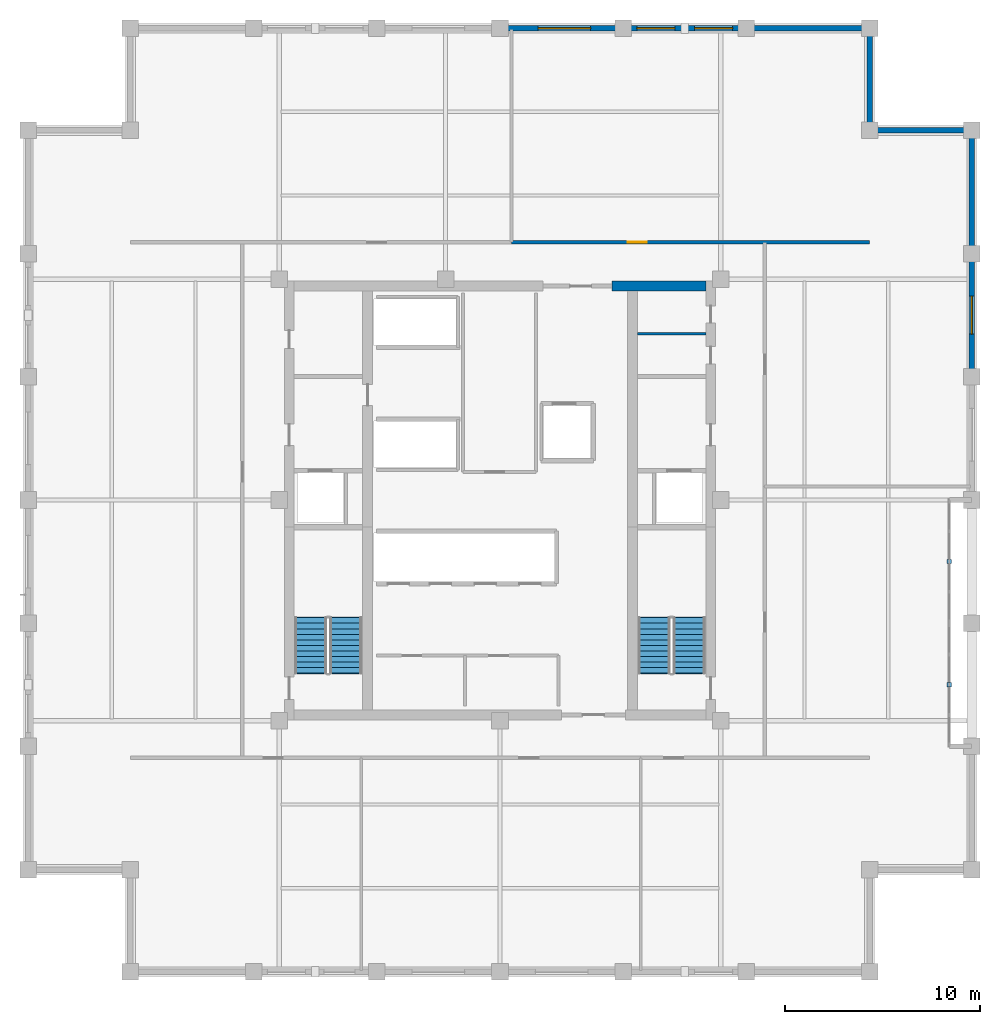
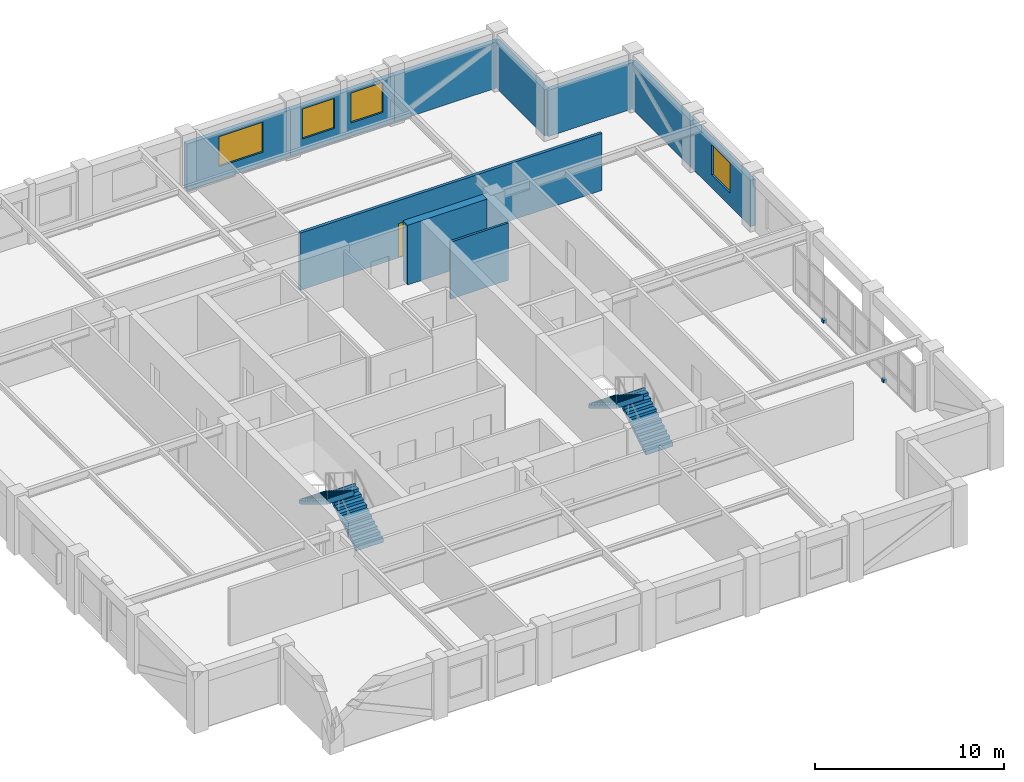
# One storey, part 8 of 10: 10 walls, 4 stair flights, 4 windows, 2 discrete accessories, 1 door, 5 openings, 2 elements without a shape of their own.
"""IFC4 building model written with IfcOpenShell, lengths in metres."""

from ifc_helpers import new_model, si_unit, direction, frame, frame_2d, origin, origin_2d, place, context, subcontext, project, spatial, polyline, rectangle, outline, extrude, material, layer, layer_set, type_object, element, fill, aggregate, save


model = new_model("IFC4")

# Units and contexts
model_context = context("Model", 3, precision=1e-05, world=origin(), true_north=direction((0.0, 1.0)))
body_context = subcontext(model_context, "Body", "Model", "MODEL_VIEW")
ifc_project = project(units=[si_unit("LENGTHUNIT", "METRE"), si_unit("AREAUNIT", "SQUARE_METRE"), si_unit("VOLUMEUNIT", "CUBIC_METRE"), si_unit("PLANEANGLEUNIT", "RADIAN"), si_unit("MASSUNIT", "GRAM", prefix="KILO")], contexts=[model_context])

# Site, building, storey
site_placement = place(None, origin())
site = spatial("IfcSite", under=ifc_project, at=site_placement, CompositionType="ELEMENT")
building_placement = place(site_placement, origin())
building = spatial("IfcBuilding", under=site, at=building_placement, Name="Nhamokura Convention Tower", CompositionType="ELEMENT")
storey_placement = place(building_placement, frame((0.0, 0.0, 236.949951171875)))
storey = spatial("IfcBuildingStorey", under=building, at=storey_placement, Name="L58", CompositionType="ELEMENT", Elevation=236.949951171875)

# Wall
ifc_material_1 = material(Name="Moisture-resistant tile-backer partition", Category="masonry")
ifc_layer_1 = layer(ifc_material_1, 0.139892578125)
ifc_layer_set_1 = layer_set([ifc_layer_1], Name="BathroomWetWall_140")
wall_type_1 = type_object("IfcWallType", Name="BathroomWetWall_140", PredefinedType="STANDARD", material=ifc_layer_set_1)
wall_1_placement = place(storey_placement, frame((39.06005859375, 40.550048828125, 0.0), z_axis=(0.0, 0.0, 1.0), x_axis=(1.0, 0.0, 0.0)))
element("IfcWall", 1, at=wall_1_placement, inside=storey, type_object=wall_type_1, Name="L58 Wall INT-L58-CWNE", PredefinedType="STANDARD", context=body_context, shape_type="SweptSolid", body=[
    extrude(rectangle(XDim=3.530029296875, YDim=0.139892578125, at=frame_2d((1.76513671875, 0.0))), origin(), (0.0, 0.0, 1.0), 3.68505859375),
])

# Wall, opening, window
ifc_material_2 = material(Name="Bronze-pigmented precast concrete C45/55", Category="concrete")
ifc_layer_2 = layer(ifc_material_2, 0.280029296875)
ifc_layer_set_2 = layer_set([ifc_layer_2], Name="BronzePrecastSpandrel_280")
wall_type_2 = type_object("IfcWallType", Name="BronzePrecastSpandrel_280", PredefinedType="USERDEFINED", material=ifc_layer_set_2)
wall_2_placement = place(storey_placement, frame((32.0, 56.25, 0.0), z_axis=(0.0, 0.0, 1.0), x_axis=(1.0, 0.0, 0.0)))
wall_2 = element("IfcWall", 2, at=wall_2_placement, inside=storey, type_object=wall_type_2, Name="L58 Masonry-Frame Wall NORTH 3", ObjectType="SPANDREL_WALL", PredefinedType="USERDEFINED", context=body_context, shape_type="SweptSolid", body=[
    extrude(rectangle(XDim=6.333251953125, YDim=0.280029296875, at=frame_2d((3.16650390625, 0.0))), origin(), (0.0, 0.0, 1.0), 2.985107421875),
])
opening_1_placement = place(wall_2_placement, frame((1.9541015625, 0.0, 0.85009765625)))
opening_1 = element("IfcOpeningElement", 3, at=opening_1_placement, cuts=wall_2, Name="Opening W-07", PredefinedType="OPENING", context=body_context, shape_type="SweptSolid", body=[
    extrude(rectangle(XDim=2.699951171875, YDim=1.93505859375, at=frame_2d((1.35009765625, 0.967529296875))), frame((0.0, 0.14990234375, 0.0), z_axis=(0.0, -1.0, 0.0), x_axis=(1.0, 0.0, 0.0)), (0.0, 0.0, 1.0), 0.300048828125),
])
ifc_material_3 = material(Name="Solar-control bronze low-E double glass", Category="glass")
window_type_1 = type_object("IfcWindowType", Name="OfficeModuleWindow_Z3_2700", PartitioningType="DOUBLE_PANEL_VERTICAL", PredefinedType="WINDOW", material=ifc_material_3)
window_1_placement = place(opening_1_placement, origin())
window_1 = element("IfcWindow", 4, at=window_1_placement, inside=storey, type_object=window_type_1, Name="L58 Facade Window NORTH 3", OverallHeight=1.93505859375, OverallWidth=2.699951171875, PartitioningType="SINGLE_PANEL", PredefinedType="WINDOW", context=body_context, shape_type="SweptSolid", body=[
    extrude(rectangle(XDim=2.699951171875, YDim=1.93505859375, at=frame_2d((1.35009765625, 0.967529296875))), frame((0.0, 0.030029296875, 0.0), z_axis=(0.0, -1.0, 0.0), x_axis=(1.0, 0.0, 0.0)), (0.0, 0.0, 1.0), 0.06005859375),
])
fill(opening_1, window_1)

# Wall, openings, windows
wall_3_placement = place(storey_placement, frame((38.333251953125, 56.25, 0.0), z_axis=(0.0, 0.0, 1.0), x_axis=(1.0, 0.0, 0.0)))
wall_3 = element("IfcWall", 5, at=wall_3_placement, inside=storey, type_object=wall_type_2, Name="L58 Masonry-Frame Wall NORTH 4", ObjectType="SPANDREL_WALL", PredefinedType="USERDEFINED", context=body_context, shape_type="SweptSolid", body=[
    extrude(rectangle(XDim=6.33349609375, YDim=0.280029296875, at=frame_2d((3.166748046875, 0.0))), origin(), (0.0, 0.0, 1.0), 2.985107421875),
])
opening_2_placement = place(wall_3_placement, frame((0.708251953125, 0.0, 0.85009765625)))
opening_2 = element("IfcOpeningElement", 6, at=opening_2_placement, cuts=wall_3, Name="Opening W-08", PredefinedType="OPENING", context=body_context, shape_type="SweptSolid", body=[
    extrude(rectangle(XDim=1.949951171875, YDim=1.93505859375, at=frame_2d((0.97509765625, 0.967529296875))), frame((0.0, 0.14990234375, 0.0), z_axis=(0.0, -1.0, 0.0), x_axis=(1.0, 0.0, 0.0)), (0.0, 0.0, 1.0), 0.300048828125),
])
opening_3_placement = place(wall_3_placement, frame((3.675048828125, 0.0, 0.85009765625)))
opening_3 = element("IfcOpeningElement", 7, at=opening_3_placement, cuts=wall_3, Name="Opening W-08", PredefinedType="OPENING", context=body_context, shape_type="SweptSolid", body=[
    extrude(rectangle(XDim=1.949951171875, YDim=1.93505859375, at=frame_2d((0.97509765625, 0.967529296875))), frame((0.0, 0.14990234375, 0.0), z_axis=(0.0, -1.0, 0.0), x_axis=(1.0, 0.0, 0.0)), (0.0, 0.0, 1.0), 0.300048828125),
])
ifc_material_4 = material(Name="Solar-control bronze low-E double glass", Category="glass")
window_type_2 = type_object("IfcWindowType", Name="OfficeModuleWindow_Z3_1950", PartitioningType="SINGLE_PANEL", PredefinedType="WINDOW", material=ifc_material_4)
window_2_placement = place(opening_2_placement, origin())
window_2 = element("IfcWindow", 8, at=window_2_placement, inside=storey, type_object=window_type_2, Name="L58 Facade Window NORTH 4-1", OverallHeight=1.93505859375, OverallWidth=1.949951171875, PartitioningType="SINGLE_PANEL", PredefinedType="WINDOW", context=body_context, shape_type="SweptSolid", body=[
    extrude(rectangle(XDim=1.949951171875, YDim=1.93505859375, at=frame_2d((0.97509765625, 0.967529296875))), frame((0.0, 0.030029296875, 0.0), z_axis=(0.0, -1.0, 0.0), x_axis=(1.0, 0.0, 0.0)), (0.0, 0.0, 1.0), 0.06005859375),
])
fill(opening_2, window_2)
window_3_placement = place(opening_3_placement, origin())
window_3 = element("IfcWindow", 9, at=window_3_placement, inside=storey, type_object=window_type_2, Name="L58 Facade Window NORTH 4-2", OverallHeight=1.93505859375, OverallWidth=1.949951171875, PartitioningType="SINGLE_PANEL", PredefinedType="WINDOW", context=body_context, shape_type="SweptSolid", body=[
    extrude(rectangle(XDim=1.949951171875, YDim=1.93505859375, at=frame_2d((0.97509765625, 0.967529296875))), frame((0.0, 0.030029296875, 0.0), z_axis=(0.0, -1.0, 0.0), x_axis=(1.0, 0.0, 0.0)), (0.0, 0.0, 1.0), 0.06005859375),
])
fill(opening_3, window_3)

# Wall
wall_4_placement = place(storey_placement, frame((44.666748046875, 56.25, 0.0), z_axis=(0.0, 0.0, 1.0), x_axis=(1.0, 0.0, 0.0)))
element("IfcWall", 10, at=wall_4_placement, inside=storey, type_object=wall_type_2, Name="L58 Braced-Bay Precast Wall NORTH 5", ObjectType="SPANDREL_WALL", PredefinedType="USERDEFINED", context=body_context, shape_type="SweptSolid", body=[
    extrude(rectangle(XDim=6.333251953125, YDim=0.280029296875, at=frame_2d((3.16650390625, 0.0))), origin(), (0.0, 0.0, 1.0), 2.985107421875),
])

# Wall, opening, window
wall_5_placement = place(storey_placement, frame((56.25, 44.666748046875, 0.0), z_axis=(0.0, 0.0, 1.0), x_axis=(0.0, -1.0, 0.0)))
wall_5 = element("IfcWall", 11, at=wall_5_placement, inside=storey, type_object=wall_type_2, Name="L58 Masonry-Frame Wall EAST 4", ObjectType="SPANDREL_WALL", PredefinedType="USERDEFINED", context=body_context, shape_type="SweptSolid", body=[
    extrude(rectangle(XDim=6.33349609375, YDim=0.280029296875, at=frame_2d((3.166748046875, 0.0))), origin(), (0.0, 0.0, 1.0), 2.985107421875),
])
opening_4_placement = place(wall_5_placement, frame((2.191650390625, 0.0, 0.85009765625)))
opening_4 = element("IfcOpeningElement", 12, at=opening_4_placement, cuts=wall_5, Name="Opening W-08", PredefinedType="OPENING", context=body_context, shape_type="SweptSolid", body=[
    extrude(rectangle(XDim=1.949951171875, YDim=1.93505859375, at=frame_2d((0.97509765625, 0.967529296875))), frame((0.0, 0.14990234375, 0.0), z_axis=(0.0, -1.0, 0.0), x_axis=(1.0, 0.0, 0.0)), (0.0, 0.0, 1.0), 0.300048828125),
])
window_4_placement = place(opening_4_placement, origin())
window_4 = element("IfcWindow", 13, at=window_4_placement, inside=storey, type_object=window_type_2, Name="L58 Facade Window EAST 4", OverallHeight=1.93505859375, OverallWidth=1.949951171875, PartitioningType="SINGLE_PANEL", PredefinedType="WINDOW", context=body_context, shape_type="SweptSolid", body=[
    extrude(rectangle(XDim=1.949951171875, YDim=1.93505859375, at=frame_2d((0.97509765625, 0.967529296875))), frame((0.0, 0.030029296875, 0.0), z_axis=(0.0, -1.0, 0.0), x_axis=(1.0, 0.0, 0.0)), (0.0, 0.0, 1.0), 0.06005859375),
])
fill(opening_4, window_4)

# Walls
wall_6_placement = place(storey_placement, frame((56.25, 51.0, 0.0), z_axis=(0.0, 0.0, 1.0), x_axis=(0.0, -1.0, 0.0)))
element("IfcWall", 14, at=wall_6_placement, inside=storey, type_object=wall_type_2, Name="L58 Braced-Bay Precast Wall EAST 5", ObjectType="SPANDREL_WALL", PredefinedType="USERDEFINED", context=body_context, shape_type="SweptSolid", body=[
    extrude(rectangle(XDim=6.333251953125, YDim=0.280029296875, at=frame_2d((3.16650390625, 0.0))), origin(), (0.0, 0.0, 1.0), 2.985107421875),
])
for number, where, z_axis, x_axis, name in (
    (15, (51.0, 51.0, 0.0), (0.0, 0.0, 1.0), (1.0, 0.0, 0.0), "L58 Notched Corner Wall NE1"),
    (16, (51.0, 56.25, 0.0), (0.0, 0.0, 1.0), (0.0, -1.0, 0.0), "L58 Notched Corner Wall NE2"),
):
    element("IfcWall", number, at=place(storey_placement, frame(where, z_axis=z_axis, x_axis=x_axis)), inside=storey, type_object=wall_type_2, Name=name, ObjectType="SPANDREL_WALL", PredefinedType="USERDEFINED", context=body_context, shape_type="SweptSolid", body=[
        extrude(rectangle(XDim=5.25, YDim=0.280029296875, at=frame_2d((2.625, 0.0))), origin(), (0.0, 0.0, 1.0), 2.985107421875),
    ])
ifc_material_5 = material(Name="Concrete C60/75", Category="concrete")
ifc_layer_3 = layer(ifc_material_5, 0.5)
ifc_layer_set_3 = layer_set([ifc_layer_3], Name="CoreShearWall_500")
wall_type_3 = type_object("IfcWallType", Name="CoreShearWall_500", PredefinedType="SHEAR", material=ifc_layer_set_3)
wall_7_placement = place(storey_placement, frame((37.75, 43.0, 0.0), z_axis=(0.0, 0.0, 1.0), x_axis=(1.0, 0.0, 0.0)))
element("IfcWall", 17, at=wall_7_placement, inside=storey, type_object=wall_type_3, Name="L58 Core Shear Wall CW-N2", PredefinedType="SHEAR", context=body_context, shape_type="SweptSolid", body=[
    extrude(rectangle(XDim=4.840087890625, YDim=0.5, at=frame_2d((2.419921875, 0.0))), origin(), (0.0, 0.0, 1.0), 3.85009765625),
])

# Wall, opening, door
ifc_material_6 = material(Name="Fire-rated gypsum and masonry partition", Category="masonry")
ifc_layer_4 = layer(ifc_material_6, 0.179931640625)
ifc_layer_set_4 = layer_set([ifc_layer_4], Name="CorridorRatedWall_180")
wall_type_4 = type_object("IfcWallType", Name="CorridorRatedWall_180", PredefinedType="STANDARD", material=ifc_layer_set_4)
wall_8_placement = place(storey_placement, frame((32.60009765625, 45.25, 0.0), z_axis=(0.0, 0.0, 1.0), x_axis=(1.0, 0.0, 0.0)))
wall_8 = element("IfcWall", 18, at=wall_8_placement, inside=storey, type_object=wall_type_4, Name="L58 Wall INT-L58-CW-N01", PredefinedType="STANDARD", context=body_context, shape_type="SweptSolid", body=[
    extrude(rectangle(XDim=18.39990234375, YDim=0.179931640625, at=frame_2d((9.199951171875, 0.0))), origin(), (0.0, 0.0, 1.0), 3.68505859375),
])
opening_5_placement = place(wall_8_placement, frame((5.97509765625, 0.0, 0.0)))
opening_5 = element("IfcOpeningElement", 19, at=opening_5_placement, cuts=wall_8, Name="Opening D-08", PredefinedType="OPENING", context=body_context, shape_type="SweptSolid", body=[
    extrude(rectangle(XDim=0.97998046875, YDim=2.199951171875, at=frame_2d((0.489990234375, 1.10009765625))), frame((0.0, 0.099853515625, 0.0), z_axis=(0.0, -1.0, 0.0), x_axis=(1.0, 0.0, 0.0)), (0.0, 0.0, 1.0), 0.199951171875),
])
ifc_material_7 = material(Name="Solid oak hardwood", Category="wood")
door_type = type_object("IfcDoorType", Name="OfficeEntryDoor_980", OperationType="NOTDEFINED", PredefinedType="DOOR", material=ifc_material_7)
door_placement = place(opening_5_placement, origin())
door = element("IfcDoor", 20, at=door_placement, inside=storey, type_object=door_type, Name="L58 Private Office N02 Door", OperationType="SINGLE_SWING_RIGHT", OverallHeight=2.199951171875, OverallWidth=0.97998046875, PredefinedType="DOOR", context=body_context, shape_type="SweptSolid", body=[
    extrude(rectangle(XDim=0.97998046875, YDim=2.199951171875, at=frame_2d((0.489990234375, 1.10009765625))), frame((0.0, 0.02490234375, 0.0), z_axis=(0.0, -1.0, 0.0), x_axis=(1.0, 0.0, 0.0)), (0.0, 0.0, 1.0), 0.050048828125),
])
fill(opening_5, door)

# Stair, stair flights
ifc_material_8 = material(Name="Concrete C40/50", Category="concrete")
stair_type = type_object("IfcStairType", Name="TowerCoreStair_1650", PredefinedType="HALF_TURN_STAIR", material=ifc_material_8)
stair_1_placement = place(storey_placement, origin())
stair_1 = element("IfcStair", 21, at=stair_1_placement, inside=storey, type_object=stair_type, Name="L58 West Core Smokeproof Stair ST-01", PredefinedType="HALF_TURN_STAIR")
ifc_material_9 = material(Name="Concrete C40/50", Category="concrete")
stair_flight_type = type_object("IfcStairFlightType", Name="TowerCoreStair_1650_Flight", PredefinedType="STRAIGHT", material=ifc_material_9)
stair_flight_1_placement = place(storey_placement, frame((24.074951171875, 23.10009765625, 0.0), z_axis=(0.0, 0.0, 1.0), x_axis=(0.0, 1.0, 0.0)))
stair_flight_1 = element("IfcStairFlight", 22, at=stair_flight_1_placement, type_object=stair_flight_type, Name="ST-01 flight 1", NumberOfRisers=11, NumberOfTreads=10, PredefinedType="STRAIGHT", RiserHeight=0.175, TreadLength=0.285, context=body_context, shape_type="SweptSolid", body=[
    extrude(outline(polyline([(-0.0419921875, 0.0), (0.0, 0.175048828125), (0.284912109375, 0.175048828125), (0.284912109375, 0.35009765625), (0.570068359375, 0.35009765625), (0.570068359375, 0.52490234375), (0.85498046875, 0.52490234375), (0.85498046875, 0.699951171875), (1.139892578125, 0.699951171875), (1.139892578125, 0.875), (1.425048828125, 0.875), (1.425048828125, 1.050048828125), (1.7099609375, 1.050048828125), (1.7099609375, 1.22509765625), (1.9951171875, 1.22509765625), (1.9951171875, 1.39990234375), (2.280029296875, 1.39990234375), (2.280029296875, 1.574951171875), (2.56494140625, 1.574951171875), (2.56494140625, 1.75), (2.85009765625, 1.75), (2.85009765625, 1.925048828125), (2.89208984375, 1.925048828125), (2.89208984375, 1.573974609375), (2.85009765625, 1.573974609375), (0.286376953125, 0.0), (0.02001953125, -0.1298828125), (-0.0419921875, -0.1298828125), (-0.0419921875, 0.0)])), frame((0.0, 0.824951171875, 0.0), z_axis=(0.0, -1.0, 0.0), x_axis=(1.0, 0.0, 0.0)), (0.0, 0.0, 1.0), 1.64990234375),
])
stair_flight_2_placement = place(storey_placement, frame((22.27490234375, 25.949951171875, 1.925048828125), z_axis=(0.0, 0.0, 1.0), x_axis=(0.0, -1.0, 0.0)))
stair_flight_2 = element("IfcStairFlight", 23, at=stair_flight_2_placement, type_object=stair_flight_type, Name="ST-01 flight 2", NumberOfRisers=11, NumberOfTreads=10, PredefinedType="STRAIGHT", RiserHeight=0.175, TreadLength=0.285, context=body_context, shape_type="SweptSolid", body=[
    extrude(outline(polyline([(-0.0419921875, 0.0), (0.0, 0.175048828125), (0.284912109375, 0.175048828125), (0.284912109375, 0.35009765625), (0.570068359375, 0.35009765625), (0.570068359375, 0.52490234375), (0.85498046875, 0.52490234375), (0.85498046875, 0.699951171875), (1.139892578125, 0.699951171875), (1.139892578125, 0.875), (1.425048828125, 0.875), (1.425048828125, 1.050048828125), (1.7099609375, 1.050048828125), (1.7099609375, 1.22509765625), (1.9951171875, 1.22509765625), (1.9951171875, 1.39990234375), (2.280029296875, 1.39990234375), (2.280029296875, 1.574951171875), (2.56494140625, 1.574951171875), (2.56494140625, 1.75), (2.85009765625, 1.75), (2.85009765625, 1.925048828125), (2.89208984375, 1.925048828125), (2.89208984375, 1.573974609375), (2.85009765625, 1.573974609375), (0.286376953125, 0.0), (0.02001953125, -0.1298828125), (-0.0419921875, -0.1298828125), (-0.0419921875, 0.0)])), frame((0.0, 0.824951171875, 0.0), z_axis=(0.0, -1.0, 0.0), x_axis=(1.0, 0.0, 0.0)), (0.0, 0.0, 1.0), 1.64990234375),
])
aggregate(stair_1, [stair_flight_1, stair_flight_2])

stair_2_placement = place(storey_placement, origin())
stair_2 = element("IfcStair", 24, at=stair_2_placement, inside=storey, type_object=stair_type, Name="L58 East Core Smokeproof Stair ST-02", PredefinedType="HALF_TURN_STAIR")
stair_flight_3_placement = place(storey_placement, frame((41.72509765625, 23.10009765625, 0.0), z_axis=(0.0, 0.0, 1.0), x_axis=(0.0, 1.0, 0.0)))
stair_flight_3 = element("IfcStairFlight", 25, at=stair_flight_3_placement, type_object=stair_flight_type, Name="ST-02 flight 1", NumberOfRisers=11, NumberOfTreads=10, PredefinedType="STRAIGHT", RiserHeight=0.175, TreadLength=0.285, context=body_context, shape_type="SweptSolid", body=[
    extrude(outline(polyline([(-0.0419921875, 0.0), (0.0, 0.175048828125), (0.284912109375, 0.175048828125), (0.284912109375, 0.35009765625), (0.570068359375, 0.35009765625), (0.570068359375, 0.52490234375), (0.85498046875, 0.52490234375), (0.85498046875, 0.699951171875), (1.139892578125, 0.699951171875), (1.139892578125, 0.875), (1.425048828125, 0.875), (1.425048828125, 1.050048828125), (1.7099609375, 1.050048828125), (1.7099609375, 1.22509765625), (1.9951171875, 1.22509765625), (1.9951171875, 1.39990234375), (2.280029296875, 1.39990234375), (2.280029296875, 1.574951171875), (2.56494140625, 1.574951171875), (2.56494140625, 1.75), (2.85009765625, 1.75), (2.85009765625, 1.925048828125), (2.89208984375, 1.925048828125), (2.89208984375, 1.573974609375), (2.85009765625, 1.573974609375), (0.286376953125, 0.0), (0.02001953125, -0.1298828125), (-0.0419921875, -0.1298828125), (-0.0419921875, 0.0)])), frame((0.0, 0.824951171875, 0.0), z_axis=(0.0, -1.0, 0.0), x_axis=(1.0, 0.0, 0.0)), (0.0, 0.0, 1.0), 1.64990234375),
])
stair_flight_4_placement = place(storey_placement, frame((39.925048828125, 25.949951171875, 1.925048828125), z_axis=(0.0, 0.0, 1.0), x_axis=(0.0, -1.0, 0.0)))
stair_flight_4 = element("IfcStairFlight", 26, at=stair_flight_4_placement, type_object=stair_flight_type, Name="ST-02 flight 2", NumberOfRisers=11, NumberOfTreads=10, PredefinedType="STRAIGHT", RiserHeight=0.175, TreadLength=0.285, context=body_context, shape_type="SweptSolid", body=[
    extrude(outline(polyline([(-0.0419921875, 0.0), (0.0, 0.175048828125), (0.284912109375, 0.175048828125), (0.284912109375, 0.35009765625), (0.570068359375, 0.35009765625), (0.570068359375, 0.52490234375), (0.85498046875, 0.52490234375), (0.85498046875, 0.699951171875), (1.139892578125, 0.699951171875), (1.139892578125, 0.875), (1.425048828125, 0.875), (1.425048828125, 1.050048828125), (1.7099609375, 1.050048828125), (1.7099609375, 1.22509765625), (1.9951171875, 1.22509765625), (1.9951171875, 1.39990234375), (2.280029296875, 1.39990234375), (2.280029296875, 1.574951171875), (2.56494140625, 1.574951171875), (2.56494140625, 1.75), (2.85009765625, 1.75), (2.85009765625, 1.925048828125), (2.89208984375, 1.925048828125), (2.89208984375, 1.573974609375), (2.85009765625, 1.573974609375), (0.286376953125, 0.0), (0.02001953125, -0.1298828125), (-0.0419921875, -0.1298828125), (-0.0419921875, 0.0)])), frame((0.0, 0.824951171875, 0.0), z_axis=(0.0, -1.0, 0.0), x_axis=(1.0, 0.0, 0.0)), (0.0, 0.0, 1.0), 1.64990234375),
])
aggregate(stair_2, [stair_flight_3, stair_flight_4])

# Discrete accessories
ifc_material_10 = material(Name="Steel ASTM A572 Gr 50", Category="steel")
discrete_accessory_type = type_object("IfcDiscreteAccessoryType", Name="FacadeOutstandBracket", PredefinedType="BRACKET", material=ifc_material_10)
for number, where, z_axis, x_axis, name in (
    (27, (55.10009765625, 22.5, -0.02001953125), (0.0, 0.0, 1.0), (1.0, 0.0, 0.0), "L58 Scale Slot Base Shoe Bracket EAST 1"),
    (28, (55.10009765625, 28.833251953125, -0.02001953125), (0.0, 0.0, 1.0), (1.0, 0.0, 0.0), "L58 Scale Slot Base Shoe Bracket EAST 2"),
):
    element("IfcDiscreteAccessory", number, at=place(storey_placement, frame(where, z_axis=z_axis, x_axis=x_axis)), inside=storey, type_object=discrete_accessory_type, Name=name, PredefinedType="BRACKET", context=body_context, shape_type="SweptSolid", body=[
        extrude(rectangle(XDim=0.219970703125, YDim=0.219970703125, at=origin_2d()), origin(), (0.0, 0.0, 1.0), 0.199951171875),
    ])

save(model, "model.ifc")
